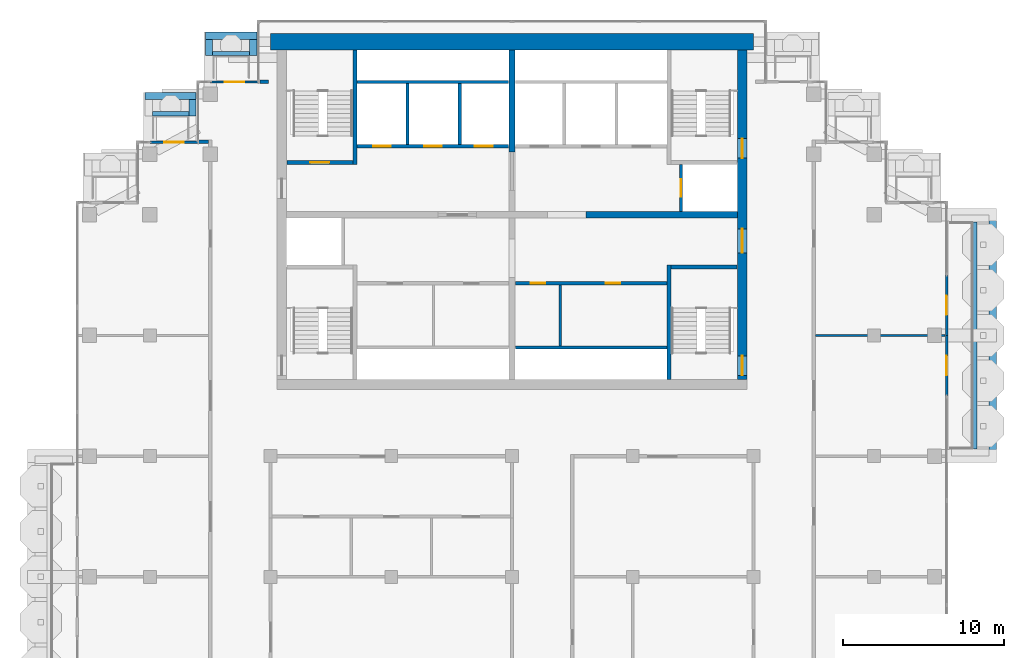
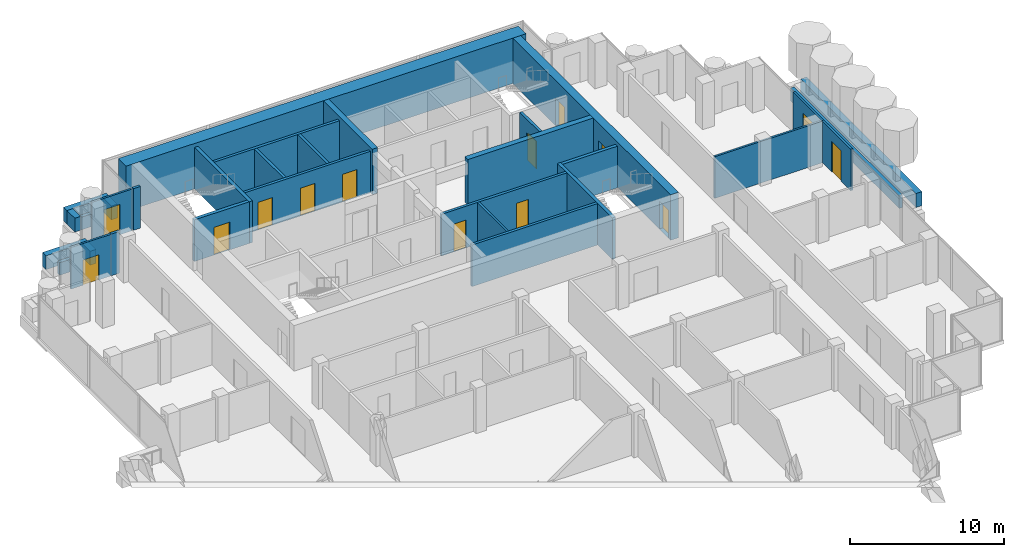
# One storey, part 13 of 18: 32 walls, 14 doors, 14 openings.
"""IFC4 building model written with IfcOpenShell, lengths in metres."""

from ifc_helpers import new_model, si_unit, direction, frame, frame_2d, origin, place, context, subcontext, project, spatial, rectangle, extrude, material, layer, layer_set, type_object, element, fill, save


model = new_model("IFC4")

# Units and contexts
model_context = context("Model", 3, precision=1e-05, world=origin(), true_north=direction((0.0, 1.0)))
body_context = subcontext(model_context, "Body", "Model", "MODEL_VIEW")
ifc_project = project(units=[si_unit("LENGTHUNIT", "METRE"), si_unit("AREAUNIT", "SQUARE_METRE"), si_unit("VOLUMEUNIT", "CUBIC_METRE"), si_unit("PLANEANGLEUNIT", "RADIAN"), si_unit("MASSUNIT", "GRAM", prefix="KILO")], contexts=[model_context])

# Site, building, storey
site_placement = place(None, origin())
site = spatial("IfcSite", under=ifc_project, at=site_placement, CompositionType="ELEMENT")
building_placement = place(site_placement, origin())
building = spatial("IfcBuilding", under=site, at=building_placement, Name="Pilkhan Gate Tower", CompositionType="ELEMENT")
storey_placement = place(building_placement, frame((0.0, 0.0, 231.89990234375)))
storey = spatial("IfcBuildingStorey", under=building, at=storey_placement, Name="L60", CompositionType="ELEMENT", Elevation=231.89990234375)

# Walls
ifc_material_1 = material(Name="Concrete C40/50", Category="concrete")
ifc_layer_1 = layer(ifc_material_1, 0.25)
ifc_layer_set_1 = layer_set([ifc_layer_1], Name="Balcony planter BP250")
wall_type_1 = type_object("IfcWallType", Name="Balcony planter BP250", PredefinedType="USERDEFINED", material=ifc_layer_set_1)
wall_1_placement = place(storey_placement, frame((103.77490234375, 67.949951171875, 0.0), z_axis=(0.0, 0.0, 1.0), x_axis=(0.0, 1.0, 0.0)))
element("IfcWall", 1, at=wall_1_placement, inside=storey, type_object=wall_type_1, Name="Balcony planter L60 E", ObjectType="BALCONY PLANTER", PredefinedType="USERDEFINED", context=body_context, shape_type="SweptSolid", body=[
    extrude(rectangle(XDim=14.10009765625, YDim=0.25, at=frame_2d((7.050048828125, 0.0))), origin(), (0.0, 0.0, 1.0), 1.0),
])
wall_2_placement = place(storey_placement, frame((56.39990234375, 92.52490234375, 0.0), z_axis=(0.0, 0.0, 1.0), x_axis=(1.0, 0.0, 0.0)))
element("IfcWall", 2, at=wall_2_placement, inside=storey, type_object=wall_type_1, Name="Balcony planter L60 N", ObjectType="BALCONY PLANTER", PredefinedType="USERDEFINED", context=body_context, shape_type="SweptSolid", body=[
    extrude(rectangle(XDim=2.300048828125, YDim=0.25, at=frame_2d((1.14990234375, 0.0))), origin(), (0.0, 0.0, 1.0), 1.0),
])
wall_3_placement = place(storey_placement, frame((52.64990234375, 88.77490234375, 0.0), z_axis=(0.0, 0.0, 1.0), x_axis=(1.0, 0.0, 0.0)))
element("IfcWall", 3, at=wall_3_placement, inside=storey, type_object=wall_type_1, Name="Balcony planter L60 N", ObjectType="BALCONY PLANTER", PredefinedType="USERDEFINED", context=body_context, shape_type="SweptSolid", body=[
    extrude(rectangle(XDim=2.280029296875, YDim=0.25, at=frame_2d((1.14013671875, 0.0))), origin(), (0.0, 0.0, 1.0), 1.0),
])
ifc_material_2 = material(Name="Board-marked Concrete C40/50", Category="concrete")
ifc_layer_2 = layer(ifc_material_2, 0.449951171875)
ifc_layer_set_2 = layer_set([ifc_layer_2], Name="Balcony planter lip BL450")
wall_type_2 = type_object("IfcWallType", Name="Balcony planter lip BL450", PredefinedType="USERDEFINED", material=ifc_layer_set_2)
wall_4_placement = place(storey_placement, frame((104.875, 67.5, 0.0), z_axis=(0.0, 0.0, 1.0), x_axis=(0.0, 1.0, 0.0)))
element("IfcWall", 4, at=wall_4_placement, inside=storey, type_object=wall_type_2, Name="Balcony planter L60 E", ObjectType="BALCONY PLANTER", PredefinedType="USERDEFINED", context=body_context, shape_type="SweptSolid", body=[
    extrude(rectangle(XDim=15.0, YDim=0.449951171875, at=frame_2d((7.5, 0.0))), origin(), (0.0, 0.0, 1.0), 1.10009765625),
])
wall_5_placement = place(storey_placement, frame((55.949951171875, 93.625, 0.0), z_axis=(0.0, 0.0, 1.0), x_axis=(1.0, 0.0, 0.0)))
element("IfcWall", 5, at=wall_5_placement, inside=storey, type_object=wall_type_2, Name="Balcony planter L60 N", ObjectType="BALCONY PLANTER", PredefinedType="USERDEFINED", context=body_context, shape_type="SweptSolid", body=[
    extrude(rectangle(XDim=3.199951171875, YDim=0.449951171875, at=frame_2d((1.60009765625, 0.0))), origin(), (0.0, 0.0, 1.0), 1.10009765625),
])
for number, where, z_axis, x_axis, name in (
    (6, (56.175048828125, 92.39990234375, 0.0), (0.0, 0.0, 1.0), (0.0, 1.0, 0.0), "Balcony planter L60 N"),
    (7, (58.925048828125, 92.39990234375, 0.0), (0.0, 0.0, 1.0), (0.0, 1.0, 0.0), "Balcony planter L60 N"),
):
    element("IfcWall", number, at=place(storey_placement, frame(where, z_axis=z_axis, x_axis=x_axis)), inside=storey, type_object=wall_type_2, Name=name, ObjectType="BALCONY PLANTER", PredefinedType="USERDEFINED", context=body_context, shape_type="SweptSolid", body=[
        extrude(rectangle(XDim=1.0, YDim=0.449951171875, at=frame_2d((0.5, 0.0))), origin(), (0.0, 0.0, 1.0), 1.10009765625),
    ])
wall_6_placement = place(storey_placement, frame((52.199951171875, 89.875, 0.0), z_axis=(0.0, 0.0, 1.0), x_axis=(1.0, 0.0, 0.0)))
element("IfcWall", 8, at=wall_6_placement, inside=storey, type_object=wall_type_2, Name="Balcony planter L60 N", ObjectType="BALCONY PLANTER", PredefinedType="USERDEFINED", context=body_context, shape_type="SweptSolid", body=[
    extrude(rectangle(XDim=3.179931640625, YDim=0.449951171875, at=frame_2d((1.58984375, 0.0))), origin(), (0.0, 0.0, 1.0), 1.10009765625),
])
wall_7_placement = place(storey_placement, frame((55.155029296875, 88.64990234375, 0.0), z_axis=(0.0, 0.0, 1.0), x_axis=(0.0, 1.0, 0.0)))
element("IfcWall", 9, at=wall_7_placement, inside=storey, type_object=wall_type_2, Name="Balcony planter L60 N", ObjectType="BALCONY PLANTER", PredefinedType="USERDEFINED", context=body_context, shape_type="SweptSolid", body=[
    extrude(rectangle(XDim=1.0, YDim=0.449951171875, at=frame_2d((0.5, 0.0))), origin(), (0.0, 0.0, 1.0), 1.10009765625),
])
ifc_material_3 = material(Name="Concrete C50/60", Category="concrete")
ifc_layer_3 = layer(ifc_material_3, 1.0)
ifc_layer_set_3 = layer_set([ifc_layer_3], Name="Core wall CW1000 C50/60")
wall_type_3 = type_object("IfcWallType", Name="Core wall CW1000 C50/60", PredefinedType="SHEAR", material=ifc_layer_set_3)
wall_8_placement = place(storey_placement, frame((90.0, 93.25, 0.0), z_axis=(0.0, 0.0, 1.0), x_axis=(-1.0, 0.0, 0.0)))
element("IfcWall", 10, at=wall_8_placement, inside=storey, type_object=wall_type_3, Name="Core wall N L60", PredefinedType="SHEAR", context=body_context, shape_type="SweptSolid", body=[
    extrude(rectangle(XDim=30.0, YDim=1.0, at=frame_2d((15.0, 0.0))), origin(), (0.0, 0.0, 1.0), 3.60009765625),
])

# Wall, openings, doors
ifc_layer_4 = layer(ifc_material_3, 0.60009765625)
ifc_layer_set_4 = layer_set([ifc_layer_4], Name="Core wall CW600 C50/60")
wall_type_4 = type_object("IfcWallType", Name="Core wall CW600 C50/60", PredefinedType="SHEAR", material=ifc_layer_set_4)
wall_9_placement = place(storey_placement, frame((89.300048828125, 72.25, 0.0), z_axis=(0.0, 0.0, 1.0), x_axis=(0.0, 1.0, 0.0)))
wall_9 = element("IfcWall", 11, at=wall_9_placement, inside=storey, type_object=wall_type_4, Name="Core wall E L60", PredefinedType="SHEAR", context=body_context, shape_type="SweptSolid", body=[
    extrude(rectangle(XDim=20.5, YDim=0.60009765625, at=frame_2d((10.25, 0.0))), origin(), (0.0, 0.0, 1.0), 3.60009765625),
])
opening_1_placement = place(wall_9_placement, frame((0.27490234375, 0.0, 0.0)))
opening_1 = element("IfcOpeningElement", 12, at=opening_1_placement, cuts=wall_9, Name="Opening L60-03", PredefinedType="OPENING", context=body_context, shape_type="SweptSolid", body=[
    extrude(rectangle(XDim=1.199951171875, YDim=2.199951171875, at=frame_2d((0.60009765625, 1.10009765625))), frame((0.0, 0.31005859375, 0.0), z_axis=(0.0, -1.0, 0.0), x_axis=(1.0, 0.0, 0.0)), (0.0, 0.0, 1.0), 0.6201171875),
])
opening_2_placement = place(wall_9_placement, frame((13.77490234375, 0.0, 0.0)))
opening_2 = element("IfcOpeningElement", 13, at=opening_2_placement, cuts=wall_9, Name="Opening L60-05", PredefinedType="OPENING", context=body_context, shape_type="SweptSolid", body=[
    extrude(rectangle(XDim=1.199951171875, YDim=2.199951171875, at=frame_2d((0.60009765625, 1.10009765625))), frame((0.0, 0.31005859375, 0.0), z_axis=(0.0, -1.0, 0.0), x_axis=(1.0, 0.0, 0.0)), (0.0, 0.0, 1.0), 0.6201171875),
])
opening_3_placement = place(wall_9_placement, frame((7.875, 0.0, 0.0)))
opening_3 = element("IfcOpeningElement", 14, at=opening_3_placement, cuts=wall_9, Name="Opening L60-06", PredefinedType="OPENING", context=body_context, shape_type="SweptSolid", body=[
    extrude(rectangle(XDim=1.5, YDim=2.199951171875, at=frame_2d((0.75, 1.10009765625))), frame((0.0, 0.31005859375, 0.0), z_axis=(0.0, -1.0, 0.0), x_axis=(1.0, 0.0, 0.0)), (0.0, 0.0, 1.0), 0.6201171875),
])
ifc_material_4 = material(Name="Steel framed glazed door, 60 minute fire resisting", Category="steel")
door_type_1 = type_object("IfcDoorType", Name="Lobby door D09 1500x2200", OperationType="DOUBLE_DOOR_SINGLE_SWING", PredefinedType="DOOR", material=ifc_material_4)
door_1_placement = place(opening_3_placement, origin())
door_1 = element("IfcDoor", 15, at=door_1_placement, inside=storey, type_object=door_type_1, Name="Core door", OperationType="DOUBLE_DOOR_SINGLE_SWING", OverallHeight=2.199951171875, OverallWidth=1.5, PredefinedType="DOOR", context=body_context, shape_type="SweptSolid", body=[
    extrude(rectangle(XDim=1.5, YDim=2.199951171875, at=frame_2d((0.75, 1.10009765625))), frame((0.0, 0.02490234375, 0.0), z_axis=(0.0, -1.0, 0.0), x_axis=(1.0, 0.0, 0.0)), (0.0, 0.0, 1.0), 0.050048828125),
])
fill(opening_3, door_1)
ifc_material_5 = material(Name="Steel door, 120 minute fire resisting, panic bar", Category="steel")
door_type_2 = type_object("IfcDoorType", Name="Stair door D11 1200x2200", OperationType="SINGLE_SWING_LEFT", PredefinedType="DOOR", material=ifc_material_5)
door_2_placement = place(opening_1_placement, origin())
door_2 = element("IfcDoor", 16, at=door_2_placement, inside=storey, type_object=door_type_2, Name="Stair ST1 door", OperationType="SINGLE_SWING_RIGHT", OverallHeight=2.199951171875, OverallWidth=1.199951171875, PredefinedType="DOOR", context=body_context, shape_type="SweptSolid", body=[
    extrude(rectangle(XDim=1.199951171875, YDim=2.199951171875, at=frame_2d((0.60009765625, 1.10009765625))), frame((0.0, 0.02490234375, 0.0), z_axis=(0.0, -1.0, 0.0), x_axis=(1.0, 0.0, 0.0)), (0.0, 0.0, 1.0), 0.050048828125),
])
fill(opening_1, door_2)
door_3_placement = place(opening_2_placement, origin())
door_3 = element("IfcDoor", 17, at=door_3_placement, inside=storey, type_object=door_type_2, Name="Stair ST4 door", OperationType="SINGLE_SWING_LEFT", OverallHeight=2.199951171875, OverallWidth=1.199951171875, PredefinedType="DOOR", context=body_context, shape_type="SweptSolid", body=[
    extrude(rectangle(XDim=1.199951171875, YDim=2.199951171875, at=frame_2d((0.60009765625, 1.10009765625))), frame((0.0, 0.02490234375, 0.0), z_axis=(0.0, -1.0, 0.0), x_axis=(1.0, 0.0, 0.0)), (0.0, 0.0, 1.0), 0.050048828125),
])
fill(opening_2, door_3)

# Walls
ifc_material_6 = material(Name="Dense blockwork", Category="masonry")
ifc_layer_5 = layer(ifc_material_6, 0.199951171875)
ifc_layer_set_5 = layer_set([ifc_layer_5], Name="Corridor wall FW200")
wall_type_5 = type_object("IfcWallType", Name="Corridor wall FW200", PredefinedType="PARTITIONING", material=ifc_layer_set_5)
wall_10_placement = place(storey_placement, frame((55.510009765625, 87.030029296875, 0.0), z_axis=(0.0, 0.0, 1.0), x_axis=(1.0, 0.0, 0.0)))
element("IfcWall", 18, at=wall_10_placement, inside=storey, type_object=wall_type_5, Name="Partition L60", PredefinedType="PARTITIONING", context=body_context, shape_type="SweptSolid", body=[
    extrude(rectangle(XDim=0.639892578125, YDim=0.199951171875, at=frame_2d((0.31982421875, 0.0))), origin(), (0.0, 0.0, 1.0), 3.300048828125),
])
wall_11_placement = place(storey_placement, frame((59.35498046875, 90.764892578125, 0.0), z_axis=(0.0, 0.0, 1.0), x_axis=(1.0, 0.0, 0.0)))
element("IfcWall", 19, at=wall_11_placement, inside=storey, type_object=wall_type_5, Name="Partition L60", PredefinedType="PARTITIONING", context=body_context, shape_type="SweptSolid", body=[
    extrude(rectangle(XDim=0.52490234375, YDim=0.199951171875, at=frame_2d((0.262451171875, 0.0))), origin(), (0.0, 0.0, 1.0), 3.300048828125),
])

# Wall, opening, door
ifc_material_7 = material(Name="Pale anodised aluminium, clear laminated glazing", Category="aluminium")
ifc_layer_6 = layer(ifc_material_7, 0.14990234375)
ifc_layer_set_6 = layer_set([ifc_layer_6], Name="Facade infill wall IW150")
wall_type_6 = type_object("IfcWallType", Name="Facade infill wall IW150", PredefinedType="SOLIDWALL", material=ifc_layer_set_6)
wall_12_placement = place(storey_placement, frame((102.0, 71.25, 0.0), z_axis=(0.0, 0.0, 1.0), x_axis=(0.0, 1.0, 0.0)))
wall_12 = element("IfcWall", 20, at=wall_12_placement, inside=storey, type_object=wall_type_6, Name="Infill wall L60 E", PredefinedType="SOLIDWALL", context=body_context, shape_type="SweptSolid", body=[
    extrude(rectangle(XDim=3.75, YDim=0.14990234375, at=frame_2d((1.875, 0.0))), origin(), (0.0, 0.0, 1.0), 3.300048828125),
])
opening_4_placement = place(wall_12_placement, frame((1.27490234375, 0.0, 0.0)))
opening_4 = element("IfcOpeningElement", 21, at=opening_4_placement, cuts=wall_12, Name="Opening D1", PredefinedType="OPENING", context=body_context, shape_type="SweptSolid", body=[
    extrude(rectangle(XDim=1.199951171875, YDim=2.39990234375, at=frame_2d((0.60009765625, 1.199951171875))), frame((0.0, 0.0849609375, 0.0), z_axis=(0.0, -1.0, 0.0), x_axis=(1.0, 0.0, 0.0)), (0.0, 0.0, 1.0), 0.169921875),
])
ifc_material_8 = material(Name="Pale anodised aluminium, clear glazing", Category="aluminium")
door_type_3 = type_object("IfcDoorType", Name="Balcony door D1 1200x2400", OperationType="SINGLE_SWING_LEFT", PredefinedType="DOOR", material=ifc_material_8)
door_4_placement = place(opening_4_placement, origin())
door_4 = element("IfcDoor", 22, at=door_4_placement, inside=storey, type_object=door_type_3, Name="Balcony door L60", OperationType="SINGLE_SWING_LEFT", OverallHeight=2.39990234375, OverallWidth=1.199951171875, PredefinedType="DOOR", context=body_context, shape_type="SweptSolid", body=[
    extrude(rectangle(XDim=1.199951171875, YDim=2.39990234375, at=frame_2d((0.60009765625, 1.199951171875))), frame((0.0, 0.02490234375, 0.0), z_axis=(0.0, -1.0, 0.0), x_axis=(1.0, 0.0, 0.0)), (0.0, 0.0, 1.0), 0.050048828125),
])
fill(opening_4, door_4)

wall_13_placement = place(storey_placement, frame((102.0, 75.0, 0.0), z_axis=(0.0, 0.0, 1.0), x_axis=(0.0, 1.0, 0.0)))
wall_13 = element("IfcWall", 23, at=wall_13_placement, inside=storey, type_object=wall_type_6, Name="Infill wall L60 E", PredefinedType="SOLIDWALL", context=body_context, shape_type="SweptSolid", body=[
    extrude(rectangle(XDim=3.75, YDim=0.14990234375, at=frame_2d((1.875, 0.0))), origin(), (0.0, 0.0, 1.0), 3.300048828125),
])
opening_5_placement = place(wall_13_placement, frame((1.27490234375, 0.0, 0.0)))
opening_5 = element("IfcOpeningElement", 24, at=opening_5_placement, cuts=wall_13, Name="Opening D1", PredefinedType="OPENING", context=body_context, shape_type="SweptSolid", body=[
    extrude(rectangle(XDim=1.199951171875, YDim=2.39990234375, at=frame_2d((0.60009765625, 1.199951171875))), frame((0.0, 0.0849609375, 0.0), z_axis=(0.0, -1.0, 0.0), x_axis=(1.0, 0.0, 0.0)), (0.0, 0.0, 1.0), 0.169921875),
])
door_5_placement = place(opening_5_placement, origin())
door_5 = element("IfcDoor", 25, at=door_5_placement, inside=storey, type_object=door_type_3, Name="Balcony door L60", OperationType="SINGLE_SWING_LEFT", OverallHeight=2.39990234375, OverallWidth=1.199951171875, PredefinedType="DOOR", context=body_context, shape_type="SweptSolid", body=[
    extrude(rectangle(XDim=1.199951171875, YDim=2.39990234375, at=frame_2d((0.60009765625, 1.199951171875))), frame((0.0, 0.02490234375, 0.0), z_axis=(0.0, -1.0, 0.0), x_axis=(1.0, 0.0, 0.0)), (0.0, 0.0, 1.0), 0.050048828125),
])
fill(opening_5, door_5)

wall_14_placement = place(storey_placement, frame((56.25, 90.75, 0.0), z_axis=(0.0, 0.0, 1.0), x_axis=(1.0, 0.0, 0.0)))
wall_14 = element("IfcWall", 26, at=wall_14_placement, inside=storey, type_object=wall_type_6, Name="Infill wall L60 N", PredefinedType="SOLIDWALL", context=body_context, shape_type="SweptSolid", body=[
    extrude(rectangle(XDim=3.0, YDim=0.14990234375, at=frame_2d((1.5, 0.0))), origin(), (0.0, 0.0, 1.0), 3.300048828125),
])
opening_6_placement = place(wall_14_placement, frame((0.89990234375, 0.0, 0.0)))
opening_6 = element("IfcOpeningElement", 27, at=opening_6_placement, cuts=wall_14, Name="Opening D1", PredefinedType="OPENING", context=body_context, shape_type="SweptSolid", body=[
    extrude(rectangle(XDim=1.199951171875, YDim=2.39990234375, at=frame_2d((0.60009765625, 1.199951171875))), frame((0.0, 0.0849609375, 0.0), z_axis=(0.0, -1.0, 0.0), x_axis=(1.0, 0.0, 0.0)), (0.0, 0.0, 1.0), 0.169921875),
])
door_6_placement = place(opening_6_placement, origin())
door_6 = element("IfcDoor", 28, at=door_6_placement, inside=storey, type_object=door_type_3, Name="Balcony door L60", OperationType="SINGLE_SWING_LEFT", OverallHeight=2.39990234375, OverallWidth=1.199951171875, PredefinedType="DOOR", context=body_context, shape_type="SweptSolid", body=[
    extrude(rectangle(XDim=1.199951171875, YDim=2.39990234375, at=frame_2d((0.60009765625, 1.199951171875))), frame((0.0, 0.02490234375, 0.0), z_axis=(0.0, -1.0, 0.0), x_axis=(1.0, 0.0, 0.0)), (0.0, 0.0, 1.0), 0.050048828125),
])
fill(opening_6, door_6)

wall_15_placement = place(storey_placement, frame((52.5, 87.0, 0.0), z_axis=(0.0, 0.0, 1.0), x_axis=(1.0, 0.0, 0.0)))
wall_15 = element("IfcWall", 29, at=wall_15_placement, inside=storey, type_object=wall_type_6, Name="Infill wall L60 N", PredefinedType="SOLIDWALL", context=body_context, shape_type="SweptSolid", body=[
    extrude(rectangle(XDim=3.0, YDim=0.14990234375, at=frame_2d((1.5, 0.0))), origin(), (0.0, 0.0, 1.0), 3.300048828125),
])
opening_7_placement = place(wall_15_placement, frame((0.89990234375, 0.0, 0.0)))
opening_7 = element("IfcOpeningElement", 30, at=opening_7_placement, cuts=wall_15, Name="Opening D1L", PredefinedType="OPENING", context=body_context, shape_type="SweptSolid", body=[
    extrude(rectangle(XDim=1.199951171875, YDim=2.0, at=frame_2d((0.60009765625, 1.0))), frame((0.0, 0.0849609375, 0.0), z_axis=(0.0, -1.0, 0.0), x_axis=(1.0, 0.0, 0.0)), (0.0, 0.0, 1.0), 0.169921875),
])
door_type_4 = type_object("IfcDoorType", Name="Balcony door D1L 1200x2000", OperationType="SINGLE_SWING_LEFT", PredefinedType="DOOR", material=ifc_material_8)
door_7_placement = place(opening_7_placement, origin())
door_7 = element("IfcDoor", 31, at=door_7_placement, inside=storey, type_object=door_type_4, Name="Balcony door L60", OperationType="SINGLE_SWING_LEFT", OverallHeight=2.0, OverallWidth=1.199951171875, PredefinedType="DOOR", context=body_context, shape_type="SweptSolid", body=[
    extrude(rectangle(XDim=1.199951171875, YDim=2.0, at=frame_2d((0.60009765625, 1.0))), frame((0.0, 0.02490234375, 0.0), z_axis=(0.0, -1.0, 0.0), x_axis=(1.0, 0.0, 0.0)), (0.0, 0.0, 1.0), 0.050048828125),
])
fill(opening_7, door_7)

# Wall
ifc_layer_7 = layer(ifc_material_6, 0.199951171875)
ifc_layer_set_7 = layer_set([ifc_layer_7], Name="Lobby wall LW200")
wall_type_7 = type_object("IfcWallType", Name="Lobby wall LW200", PredefinedType="PARTITIONING", material=ifc_layer_set_7)
wall_16_placement = place(storey_placement, frame((75.2099609375, 74.25, 0.0), z_axis=(0.0, 0.0, 1.0), x_axis=(1.0, 0.0, 0.0)))
element("IfcWall", 32, at=wall_16_placement, inside=storey, type_object=wall_type_7, Name="Partition L60", PredefinedType="PARTITIONING", context=body_context, shape_type="SweptSolid", body=[
    extrude(rectangle(XDim=9.4150390625, YDim=0.199951171875, at=frame_2d((4.70751953125, 0.0))), origin(), (0.0, 0.0, 1.0), 3.300048828125),
])

# Wall, openings, doors
wall_17_placement = place(storey_placement, frame((75.2099609375, 78.25, 0.0), z_axis=(0.0, 0.0, 1.0), x_axis=(1.0, 0.0, 0.0)))
wall_17 = element("IfcWall", 33, at=wall_17_placement, inside=storey, type_object=wall_type_7, Name="Partition L60", PredefinedType="PARTITIONING", context=body_context, shape_type="SweptSolid", body=[
    extrude(rectangle(XDim=9.4150390625, YDim=0.199951171875, at=frame_2d((4.70751953125, 0.0))), origin(), (0.0, 0.0, 1.0), 3.300048828125),
])
opening_8_placement = place(wall_17_placement, frame((0.949951171875, 0.0, 0.0)))
opening_8 = element("IfcOpeningElement", 34, at=opening_8_placement, cuts=wall_17, Name="Opening L60-10", PredefinedType="OPENING", context=body_context, shape_type="SweptSolid", body=[
    extrude(rectangle(XDim=0.89990234375, YDim=2.199951171875, at=frame_2d((0.449951171875, 1.10009765625))), frame((0.0, 0.10986328125, 0.0), z_axis=(0.0, -1.0, 0.0), x_axis=(1.0, 0.0, 0.0)), (0.0, 0.0, 1.0), 0.219970703125),
])
opening_9_placement = place(wall_17_placement, frame((5.6298828125, 0.0, 0.0)))
opening_9 = element("IfcOpeningElement", 35, at=opening_9_placement, cuts=wall_17, Name="Opening L60-11", PredefinedType="OPENING", context=body_context, shape_type="SweptSolid", body=[
    extrude(rectangle(XDim=0.89990234375, YDim=2.199951171875, at=frame_2d((0.449951171875, 1.10009765625))), frame((0.0, 0.10986328125, 0.0), z_axis=(0.0, -1.0, 0.0), x_axis=(1.0, 0.0, 0.0)), (0.0, 0.0, 1.0), 0.219970703125),
])
ifc_material_9 = material(Name="Timber flush door, 60 minute fire resisting, self-closing", Category="wood")
door_type_5 = type_object("IfcDoorType", Name="Store door D05 900x2200", OperationType="SINGLE_SWING_LEFT", PredefinedType="DOOR", material=ifc_material_9)
door_8_placement = place(opening_8_placement, origin())
door_8 = element("IfcDoor", 36, at=door_8_placement, inside=storey, type_object=door_type_5, Name="Store door", OperationType="SINGLE_SWING_LEFT", OverallHeight=2.199951171875, OverallWidth=0.89990234375, PredefinedType="DOOR", context=body_context, shape_type="SweptSolid", body=[
    extrude(rectangle(XDim=0.89990234375, YDim=2.199951171875, at=frame_2d((0.449951171875, 1.10009765625))), frame((0.0, 0.02490234375, 0.0), z_axis=(0.0, -1.0, 0.0), x_axis=(1.0, 0.0, 0.0)), (0.0, 0.0, 1.0), 0.050048828125),
])
fill(opening_8, door_8)
door_9_placement = place(opening_9_placement, origin())
door_9 = element("IfcDoor", 37, at=door_9_placement, inside=storey, type_object=door_type_5, Name="Store door", OperationType="SINGLE_SWING_LEFT", OverallHeight=2.199951171875, OverallWidth=0.89990234375, PredefinedType="DOOR", context=body_context, shape_type="SweptSolid", body=[
    extrude(rectangle(XDim=0.89990234375, YDim=2.199951171875, at=frame_2d((0.449951171875, 1.10009765625))), frame((0.0, 0.02490234375, 0.0), z_axis=(0.0, -1.0, 0.0), x_axis=(1.0, 0.0, 0.0)), (0.0, 0.0, 1.0), 0.050048828125),
])
fill(opening_9, door_9)

# Walls
ifc_material_10 = material(Name="Blockwork partition, plastered both sides", Category="masonry")
ifc_layer_8 = layer(ifc_material_10, 0.14990234375)
ifc_layer_set_8 = layer_set([ifc_layer_8], Name="Partition PW150")
wall_type_8 = type_object("IfcWallType", Name="Partition PW150", PredefinedType="PARTITIONING", material=ifc_layer_set_8)
wall_18_placement = place(storey_placement, frame((93.85009765625, 75.0, 0.0), z_axis=(0.0, 0.0, 1.0), x_axis=(1.0, 0.0, 0.0)))
element("IfcWall", 38, at=wall_18_placement, inside=storey, type_object=wall_type_8, Name="Partition L60", PredefinedType="PARTITIONING", context=body_context, shape_type="SweptSolid", body=[
    extrude(rectangle(XDim=8.06494140625, YDim=0.14990234375, at=frame_2d((4.032470703125, 0.0))), origin(), (0.0, 0.0, 1.0), 3.300048828125),
])
wall_19_placement = place(storey_placement, frame((77.989990234375, 74.35009765625, 0.0), z_axis=(0.0, 0.0, 1.0), x_axis=(0.0, 1.0, 0.0)))
element("IfcWall", 39, at=wall_19_placement, inside=storey, type_object=wall_type_8, Name="Partition L60", PredefinedType="PARTITIONING", context=body_context, shape_type="SweptSolid", body=[
    extrude(rectangle(XDim=3.7998046875, YDim=0.14990234375, at=frame_2d((1.89990234375, 0.0))), origin(), (0.0, 0.0, 1.0), 3.300048828125),
])

# Wall, openings, doors
ifc_material_11 = material(Name="Reinforced blockwork shaft wall, 120 minute fire resisting", Category="masonry")
ifc_layer_9 = layer(ifc_material_11, 0.199951171875)
ifc_layer_set_9 = layer_set([ifc_layer_9], Name="Shaft wall SW200")
wall_type_9 = type_object("IfcWallType", Name="Shaft wall SW200", PredefinedType="PARTITIONING", material=ifc_layer_set_9)
wall_20_placement = place(storey_placement, frame((65.375, 86.75, 0.0), z_axis=(0.0, 0.0, 1.0), x_axis=(1.0, 0.0, 0.0)))
wall_20 = element("IfcWall", 40, at=wall_20_placement, inside=storey, type_object=wall_type_9, Name="Partition L60", PredefinedType="PARTITIONING", context=body_context, shape_type="SweptSolid", body=[
    extrude(rectangle(XDim=9.4150390625, YDim=0.199951171875, at=frame_2d((4.70751953125, 0.0))), origin(), (0.0, 0.0, 1.0), 3.300048828125),
])
opening_10_placement = place(wall_20_placement, frame((1.0, 0.0, 0.0)))
opening_10 = element("IfcOpeningElement", 41, at=opening_10_placement, cuts=wall_20, Name="Opening LD", PredefinedType="OPENING", context=body_context, shape_type="SweptSolid", body=[
    extrude(rectangle(XDim=1.10009765625, YDim=2.199951171875, at=frame_2d((0.550048828125, 1.10009765625))), frame((0.0, 0.10986328125, 0.0), z_axis=(0.0, -1.0, 0.0), x_axis=(1.0, 0.0, 0.0)), (0.0, 0.0, 1.0), 0.219970703125),
])
opening_11_placement = place(wall_20_placement, frame((4.175048828125, 0.0, 0.0)))
opening_11 = element("IfcOpeningElement", 42, at=opening_11_placement, cuts=wall_20, Name="Opening LD", PredefinedType="OPENING", context=body_context, shape_type="SweptSolid", body=[
    extrude(rectangle(XDim=1.10009765625, YDim=2.199951171875, at=frame_2d((0.550048828125, 1.10009765625))), frame((0.0, 0.10986328125, 0.0), z_axis=(0.0, -1.0, 0.0), x_axis=(1.0, 0.0, 0.0)), (0.0, 0.0, 1.0), 0.219970703125),
])
opening_12_placement = place(wall_20_placement, frame((7.324951171875, 0.0, 0.0)))
opening_12 = element("IfcOpeningElement", 43, at=opening_12_placement, cuts=wall_20, Name="Opening LD", PredefinedType="OPENING", context=body_context, shape_type="SweptSolid", body=[
    extrude(rectangle(XDim=1.10009765625, YDim=2.199951171875, at=frame_2d((0.550048828125, 1.10009765625))), frame((0.0, 0.10986328125, 0.0), z_axis=(0.0, -1.0, 0.0), x_axis=(1.0, 0.0, 0.0)), (0.0, 0.0, 1.0), 0.219970703125),
])
ifc_material_12 = material(Name="Stainless steel centre-opening landing door, 120 minute fire resisting", Category="steel")
door_type_6 = type_object("IfcDoorType", Name="Lift landing door LD 1100x2200", OperationType="DOUBLE_DOOR_SLIDING", PredefinedType="DOOR", material=ifc_material_12)
door_10_placement = place(opening_10_placement, origin())
door_10 = element("IfcDoor", 44, at=door_10_placement, inside=storey, type_object=door_type_6, Name="Landing door FF1", OperationType="DOUBLE_DOOR_SLIDING", OverallHeight=2.199951171875, OverallWidth=1.10009765625, PredefinedType="DOOR", context=body_context, shape_type="SweptSolid", body=[
    extrude(rectangle(XDim=1.10009765625, YDim=2.199951171875, at=frame_2d((0.550048828125, 1.10009765625))), frame((0.0, 0.02490234375, 0.0), z_axis=(0.0, -1.0, 0.0), x_axis=(1.0, 0.0, 0.0)), (0.0, 0.0, 1.0), 0.050048828125),
])
fill(opening_10, door_10)
door_11_placement = place(opening_11_placement, origin())
door_11 = element("IfcDoor", 45, at=door_11_placement, inside=storey, type_object=door_type_6, Name="Landing door FF2", OperationType="DOUBLE_DOOR_SLIDING", OverallHeight=2.199951171875, OverallWidth=1.10009765625, PredefinedType="DOOR", context=body_context, shape_type="SweptSolid", body=[
    extrude(rectangle(XDim=1.10009765625, YDim=2.199951171875, at=frame_2d((0.550048828125, 1.10009765625))), frame((0.0, 0.02490234375, 0.0), z_axis=(0.0, -1.0, 0.0), x_axis=(1.0, 0.0, 0.0)), (0.0, 0.0, 1.0), 0.050048828125),
])
fill(opening_11, door_11)
door_12_placement = place(opening_12_placement, origin())
door_12 = element("IfcDoor", 46, at=door_12_placement, inside=storey, type_object=door_type_6, Name="Landing door SV1", OperationType="DOUBLE_DOOR_SLIDING", OverallHeight=2.199951171875, OverallWidth=1.10009765625, PredefinedType="DOOR", context=body_context, shape_type="SweptSolid", body=[
    extrude(rectangle(XDim=1.10009765625, YDim=2.199951171875, at=frame_2d((0.550048828125, 1.10009765625))), frame((0.0, 0.02490234375, 0.0), z_axis=(0.0, -1.0, 0.0), x_axis=(1.0, 0.0, 0.0)), (0.0, 0.0, 1.0), 0.050048828125),
])
fill(opening_12, door_12)

# Walls
wall_21_placement = place(storey_placement, frame((65.375, 90.75, 0.0), z_axis=(0.0, 0.0, 1.0), x_axis=(1.0, 0.0, 0.0)))
element("IfcWall", 47, at=wall_21_placement, inside=storey, type_object=wall_type_9, Name="Partition L60", PredefinedType="PARTITIONING", context=body_context, shape_type="SweptSolid", body=[
    extrude(rectangle(XDim=9.4150390625, YDim=0.199951171875, at=frame_2d((4.70751953125, 0.0))), origin(), (0.0, 0.0, 1.0), 3.300048828125),
])
for number, where, z_axis, x_axis, name in (
    (48, (68.5, 86.85009765625, 0.0), (0.0, 0.0, 1.0), (0.0, 1.0, 0.0), "Partition L60"),
    (49, (71.75, 86.85009765625, 0.0), (0.0, 0.0, 1.0), (0.0, 1.0, 0.0), "Partition L60"),
):
    element("IfcWall", number, at=place(storey_placement, frame(where, z_axis=z_axis, x_axis=x_axis)), inside=storey, type_object=wall_type_9, Name=name, PredefinedType="PARTITIONING", context=body_context, shape_type="SweptSolid", body=[
        extrude(rectangle(XDim=3.7998046875, YDim=0.199951171875, at=frame_2d((1.89990234375, 0.0))), origin(), (0.0, 0.0, 1.0), 3.300048828125),
    ])

# Wall, opening, door
wall_22_placement = place(storey_placement, frame((85.5, 82.7099609375, 0.0), z_axis=(0.0, 0.0, 1.0), x_axis=(0.0, 1.0, 0.0)))
wall_22 = element("IfcWall", 50, at=wall_22_placement, inside=storey, type_object=wall_type_9, Name="Partition L60", PredefinedType="PARTITIONING", context=body_context, shape_type="SweptSolid", body=[
    extrude(rectangle(XDim=2.9150390625, YDim=0.199951171875, at=frame_2d((1.45751953125, 0.0))), origin(), (0.0, 0.0, 1.0), 3.300048828125),
])
opening_13_placement = place(wall_22_placement, frame((0.89990234375, 0.0, 0.0)))
opening_13 = element("IfcOpeningElement", 51, at=opening_13_placement, cuts=wall_22, Name="Opening LD", PredefinedType="OPENING", context=body_context, shape_type="SweptSolid", body=[
    extrude(rectangle(XDim=1.10009765625, YDim=2.199951171875, at=frame_2d((0.550048828125, 1.10009765625))), frame((0.0, 0.10986328125, 0.0), z_axis=(0.0, -1.0, 0.0), x_axis=(1.0, 0.0, 0.0)), (0.0, 0.0, 1.0), 0.219970703125),
])
door_13_placement = place(opening_13_placement, origin())
door_13 = element("IfcDoor", 52, at=door_13_placement, inside=storey, type_object=door_type_6, Name="Landing door HR4", OperationType="DOUBLE_DOOR_SLIDING", OverallHeight=2.199951171875, OverallWidth=1.10009765625, PredefinedType="DOOR", context=body_context, shape_type="SweptSolid", body=[
    extrude(rectangle(XDim=1.10009765625, YDim=2.199951171875, at=frame_2d((0.550048828125, 1.10009765625))), frame((0.0, 0.02490234375, 0.0), z_axis=(0.0, -1.0, 0.0), x_axis=(1.0, 0.0, 0.0)), (0.0, 0.0, 1.0), 0.050048828125),
])
fill(opening_13, door_13)

# Walls
ifc_layer_10 = layer(ifc_material_3, 0.39990234375)
ifc_layer_set_10 = layer_set([ifc_layer_10], Name="Spine wall SW400 C50/60")
wall_type_10 = type_object("IfcWallType", Name="Spine wall SW400 C50/60", PredefinedType="SHEAR", material=ifc_layer_set_10)
wall_23_placement = place(storey_placement, frame((79.60009765625, 82.5, 0.0), z_axis=(0.0, 0.0, 1.0), x_axis=(1.0, 0.0, 0.0)))
element("IfcWall", 53, at=wall_23_placement, inside=storey, type_object=wall_type_10, Name="Spine wall SP-EW3 L60", PredefinedType="SHEAR", context=body_context, shape_type="SweptSolid", body=[
    extrude(rectangle(XDim=9.39990234375, YDim=0.39990234375, at=frame_2d((4.699951171875, 0.0))), origin(), (0.0, 0.0, 1.0), 3.60009765625),
])
wall_24_placement = place(storey_placement, frame((75.0, 86.39990234375, 0.0), z_axis=(0.0, 0.0, 1.0), x_axis=(0.0, 1.0, 0.0)))
element("IfcWall", 54, at=wall_24_placement, inside=storey, type_object=wall_type_10, Name="Spine wall SP-NS-N2 L60", PredefinedType="SHEAR", context=body_context, shape_type="SweptSolid", body=[
    extrude(rectangle(XDim=6.35009765625, YDim=0.39990234375, at=frame_2d((3.175048828125, 0.0))), origin(), (0.0, 0.0, 1.0), 3.60009765625),
])
ifc_material_13 = material(Name="Reinforced blockwork, 120 minute fire resisting", Category="masonry")
ifc_layer_11 = layer(ifc_material_13, 0.25)
ifc_layer_set_11 = layer_set([ifc_layer_11], Name="Stair enclosure wall SE250")
wall_type_11 = type_object("IfcWallType", Name="Stair enclosure wall SE250", PredefinedType="PARTITIONING", material=ifc_layer_set_11)
wall_25_placement = place(storey_placement, frame((84.875, 79.25, 0.0), z_axis=(0.0, 0.0, 1.0), x_axis=(1.0, 0.0, 0.0)))
element("IfcWall", 55, at=wall_25_placement, inside=storey, type_object=wall_type_11, Name="Partition L60", PredefinedType="PARTITIONING", context=body_context, shape_type="SweptSolid", body=[
    extrude(rectangle(XDim=4.114990234375, YDim=0.25, at=frame_2d((2.0576171875, 0.0))), origin(), (0.0, 0.0, 1.0), 3.300048828125),
])

# Wall, opening, door
wall_26_placement = place(storey_placement, frame((61.010009765625, 85.75, 0.0), z_axis=(0.0, 0.0, 1.0), x_axis=(1.0, 0.0, 0.0)))
wall_26 = element("IfcWall", 56, at=wall_26_placement, inside=storey, type_object=wall_type_11, Name="Partition L60", PredefinedType="PARTITIONING", context=body_context, shape_type="SweptSolid", body=[
    extrude(rectangle(XDim=4.114990234375, YDim=0.25, at=frame_2d((2.0576171875, 0.0))), origin(), (0.0, 0.0, 1.0), 3.300048828125),
])
opening_14_placement = place(wall_26_placement, frame((1.449951171875, 0.0, 0.0)))
opening_14 = element("IfcOpeningElement", 57, at=opening_14_placement, cuts=wall_26, Name="Opening L60-02", PredefinedType="OPENING", context=body_context, shape_type="SweptSolid", body=[
    extrude(rectangle(XDim=1.199951171875, YDim=2.199951171875, at=frame_2d((0.60009765625, 1.10009765625))), frame((0.0, 0.135009765625, 0.0), z_axis=(0.0, -1.0, 0.0), x_axis=(1.0, 0.0, 0.0)), (0.0, 0.0, 1.0), 0.27001953125),
])
door_14_placement = place(opening_14_placement, origin())
door_14 = element("IfcDoor", 58, at=door_14_placement, inside=storey, type_object=door_type_2, Name="Stair ST3 lobby door", OperationType="SINGLE_SWING_LEFT", OverallHeight=2.199951171875, OverallWidth=1.199951171875, PredefinedType="DOOR", context=body_context, shape_type="SweptSolid", body=[
    extrude(rectangle(XDim=1.199951171875, YDim=2.199951171875, at=frame_2d((0.60009765625, 1.10009765625))), frame((0.0, 0.02490234375, 0.0), z_axis=(0.0, -1.0, 0.0), x_axis=(1.0, 0.0, 0.0)), (0.0, 0.0, 1.0), 0.050048828125),
])
fill(opening_14, door_14)

# Walls
for number, where, z_axis, x_axis, name in (
    (59, (65.25, 85.625, 0.0), (0.0, 0.0, 1.0), (0.0, 1.0, 0.0), "Partition L60"),
    (60, (84.75, 72.260009765625, 0.0), (0.0, 0.0, 1.0), (0.0, 1.0, 0.0), "Partition L60"),
):
    element("IfcWall", number, at=place(storey_placement, frame(where, z_axis=z_axis, x_axis=x_axis)), inside=storey, type_object=wall_type_11, Name=name, PredefinedType="PARTITIONING", context=body_context, shape_type="SweptSolid", body=[
        extrude(rectangle(XDim=7.114990234375, YDim=0.25, at=frame_2d((3.5576171875, 0.0))), origin(), (0.0, 0.0, 1.0), 3.300048828125),
    ])

save(model, "model.ifc")
